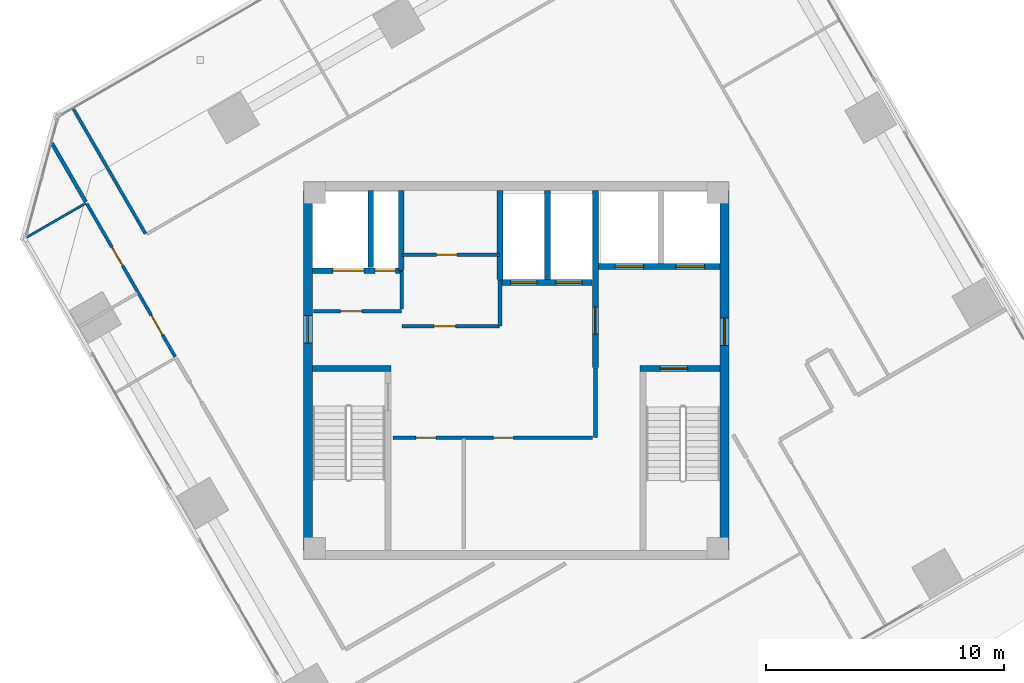
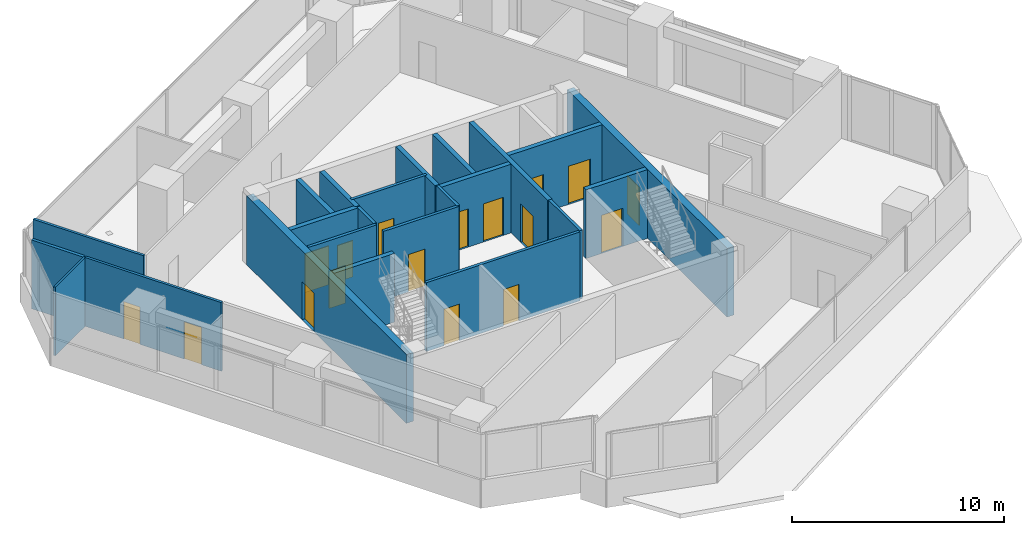
# One storey, part 12 of 16: 23 walls, 17 doors, 17 openings.
"""IFC4 building model written with IfcOpenShell, lengths in metres."""

from ifc_helpers import new_model, si_unit, direction, frame, frame_2d, origin, place, context, subcontext, project, spatial, rectangle, extrude, source, transform, mapped, material, layer, layer_set, type_object, element, fill, save


model = new_model("IFC4")

# Units and contexts
model_context = context("Model", 3, precision=1e-05, world=origin(), true_north=direction((0.0, 1.0)))
body_context = subcontext(model_context, "Body", "Model", "MODEL_VIEW")
ifc_project = project(units=[si_unit("LENGTHUNIT", "METRE"), si_unit("AREAUNIT", "SQUARE_METRE"), si_unit("VOLUMEUNIT", "CUBIC_METRE"), si_unit("PLANEANGLEUNIT", "RADIAN"), si_unit("MASSUNIT", "GRAM", prefix="KILO")], contexts=[model_context])

# Site, building, storey
site_placement = place(None, origin())
site = spatial("IfcSite", under=ifc_project, at=site_placement, CompositionType="ELEMENT")
building_placement = place(site_placement, origin())
building = spatial("IfcBuilding", under=site, at=building_placement, Name="Torre Montelarca", CompositionType="ELEMENT")
storey_placement = place(building_placement, frame((0.0, 0.0, 319.800048828125)))
storey = spatial("IfcBuildingStorey", under=building, at=storey_placement, Name="L72", CompositionType="ELEMENT", Elevation=319.800048828125)

# Wall
ifc_material_1 = material(Name="Concrete C40/50", Category="concrete")
ifc_layer_1 = layer(ifc_material_1, 0.25, Name="Concrete C40/50", Category="concrete")
ifc_layer_set_1 = layer_set([ifc_layer_1], Name="Concrete C40/50")
wall_type_1 = type_object("IfcWallType", Name="CW-SHAFT-250", PredefinedType="SHEAR", material=ifc_layer_set_1)
wall_1_placement = place(storey_placement, frame((9.4599609375, 32.074951171875, 0.0), z_axis=(0.0, 0.0, 1.0), x_axis=(1.0, 0.0, 0.0)))
element("IfcWall", 1, at=wall_1_placement, inside=storey, type_object=wall_type_1, Name="L72 Core Shear Wall SH-ST1-N", PredefinedType="SHEAR", context=body_context, shape_type="SweptSolid", body=[
    extrude(rectangle(XDim=3.2900390625, YDim=0.25, at=frame_2d((1.64501953125, 0.0))), origin(), (0.0, 0.0, 1.0), 3.9599609375),
])

# Wall, opening, door
wall_2_placement = place(storey_placement, frame((23.18994140625, 32.074951171875, 0.0), z_axis=(0.0, 0.0, 1.0), x_axis=(1.0, 0.0, 0.0)))
wall_2 = element("IfcWall", 2, at=wall_2_placement, inside=storey, type_object=wall_type_1, Name="L72 Core Shear Wall SH-ST2-N", PredefinedType="SHEAR", context=body_context, shape_type="SweptSolid", body=[
    extrude(rectangle(XDim=3.35009765625, YDim=0.25, at=frame_2d((1.675048828125, 0.0))), origin(), (0.0, 0.0, 1.0), 3.9599609375),
])
opening_1_placement = place(wall_2_placement, frame((0.85009765625, 0.0, 0.0)))
opening_1 = element("IfcOpeningElement", 3, at=opening_1_placement, cuts=wall_2, Name="Opening FD-ST1", PredefinedType="OPENING", context=body_context, shape_type="SweptSolid", body=[
    extrude(rectangle(XDim=1.14990234375, YDim=2.199951171875, at=frame_2d((0.574951171875, 1.10009765625))), frame((0.0, 0.135009765625, 0.0), z_axis=(0.0, -1.0, 0.0), x_axis=(1.0, 0.0, 0.0)), (0.0, 0.0, 1.0), 0.27001953125),
])
ifc_material_2 = material(Name="Galvanized steel fire door", Category="steel")
door_type_1 = type_object("IfcDoorType", Name="DR-STAIR-115", OperationType="NOTDEFINED", PredefinedType="DOOR", material=ifc_material_2)
shared_shape_1 = source(origin(), body_context, "Body", "SweptSolid", [
    extrude(rectangle(XDim=1.14990234375, YDim=2.199951171875, at=frame_2d((0.574951171875, 1.10009765625))), frame((0.0, 0.02490234375, 0.0), z_axis=(0.0, -1.0, 0.0), x_axis=(1.0, 0.0, 0.0)), (0.0, 0.0, 1.0), 0.050048828125),
])
door_1_placement = place(opening_1_placement, origin())
door_1 = element("IfcDoor", 4, at=door_1_placement, inside=storey, type_object=door_type_1, Name="L72 Exit Stair ST2 Fire Door", OperationType="SINGLE_SWING_RIGHT", OverallHeight=2.199951171875, OverallWidth=1.14990234375, PredefinedType="DOOR", context=body_context, shape_type="MappedRepresentation", body=[
    mapped(shared_shape_1, transform((0.0, 0.0, 0.0), scale=1.0)),
])
fill(opening_1, door_1)

wall_3_placement = place(storey_placement, frame((21.320068359375, 32.1201171875, 0.0), z_axis=(0.0, 0.0, 1.0), x_axis=(0.0, 1.0, 0.0)))
wall_3 = element("IfcWall", 5, at=wall_3_placement, inside=storey, type_object=wall_type_1, Name="L72 Core Shear Wall SH-FFL-W", PredefinedType="SHEAR", context=body_context, shape_type="SweptSolid", body=[
    extrude(rectangle(XDim=7.419921875, YDim=0.25, at=frame_2d((3.7099609375, 0.0))), origin(), (0.0, 0.0, 1.0), 3.9599609375),
])
opening_2_placement = place(wall_3_placement, frame((1.39990234375, 0.0, 0.0)))
opening_2 = element("IfcOpeningElement", 6, at=opening_2_placement, cuts=wall_3, Name="Opening FD-LB1", PredefinedType="OPENING", context=body_context, shape_type="SweptSolid", body=[
    extrude(rectangle(XDim=1.14990234375, YDim=2.199951171875, at=frame_2d((0.574951171875, 1.10009765625))), frame((0.0, 0.135009765625, 0.0), z_axis=(0.0, -1.0, 0.0), x_axis=(1.0, 0.0, 0.0)), (0.0, 0.0, 1.0), 0.27001953125),
])
ifc_material_3 = material(Name="Acoustic timber-veneered fire door", Category="wood")
door_type_2 = type_object("IfcDoorType", Name="DR-LOBBY-115", OperationType="NOTDEFINED", PredefinedType="DOOR", material=ifc_material_3)
shared_shape_2 = source(origin(), body_context, "Body", "SweptSolid", [
    extrude(rectangle(XDim=1.14990234375, YDim=2.199951171875, at=frame_2d((0.574951171875, 1.10009765625))), frame((0.0, 0.02490234375, 0.0), z_axis=(0.0, -1.0, 0.0), x_axis=(1.0, 0.0, 0.0)), (0.0, 0.0, 1.0), 0.050048828125),
])
door_2_placement = place(opening_2_placement, origin())
door_2 = element("IfcDoor", 7, at=door_2_placement, inside=storey, type_object=door_type_2, Name="L72 Lift Lobby to Firefighting Lobby Smoke Door", OperationType="SINGLE_SWING_LEFT", OverallHeight=2.199951171875, OverallWidth=1.14990234375, PredefinedType="DOOR", context=body_context, shape_type="MappedRepresentation", body=[
    mapped(shared_shape_2, transform((0.0, 0.0, 0.0), scale=1.0)),
])
fill(opening_2, door_2)

# Wall, openings, doors
wall_4_placement = place(storey_placement, frame((9.4599609375, 36.179931640625, 0.0), z_axis=(0.0, 0.0, 1.0), x_axis=(1.0, 0.0, 0.0)))
wall_4 = element("IfcWall", 8, at=wall_4_placement, inside=storey, type_object=wall_type_1, Name="L72 Core Shear Wall SH-SV1-S", PredefinedType="SHEAR", context=body_context, shape_type="SweptSolid", body=[
    extrude(rectangle(XDim=3.7900390625, YDim=0.25, at=frame_2d((1.89501953125, 0.0))), origin(), (0.0, 0.0, 1.0), 3.9599609375),
])
opening_3_placement = place(wall_4_placement, frame((2.6201171875, 0.0, 0.0)))
opening_3 = element("IfcOpeningElement", 9, at=opening_3_placement, cuts=wall_4, Name="Opening FD-085", PredefinedType="OPENING", context=body_context, shape_type="SweptSolid", body=[
    extrude(rectangle(XDim=0.85009765625, YDim=2.10009765625, at=frame_2d((0.425048828125, 1.050048828125))), frame((0.0, 0.135009765625, 0.0), z_axis=(0.0, -1.0, 0.0), x_axis=(1.0, 0.0, 0.0)), (0.0, 0.0, 1.0), 0.27001953125),
])
opening_4_placement = place(wall_4_placement, frame((0.85009765625, 0.0, 0.0)))
opening_4 = element("IfcOpeningElement", 10, at=opening_4_placement, cuts=wall_4, Name="Opening LD-130", PredefinedType="OPENING", context=body_context, shape_type="SweptSolid", body=[
    extrude(rectangle(XDim=1.300048828125, YDim=2.25, at=frame_2d((0.64990234375, 1.125))), frame((0.0, 0.135009765625, 0.0), z_axis=(0.0, -1.0, 0.0), x_axis=(1.0, 0.0, 0.0)), (0.0, 0.0, 1.0), 0.27001953125),
])
ifc_material_4 = material(Name="Steel riser access fire door", Category="steel")
door_type_3 = type_object("IfcDoorType", Name="DR-RISER-085", OperationType="NOTDEFINED", PredefinedType="DOOR", material=ifc_material_4)
shared_shape_3 = source(origin(), body_context, "Body", "SweptSolid", [
    extrude(rectangle(XDim=0.85009765625, YDim=2.10009765625, at=frame_2d((0.425048828125, 1.050048828125))), frame((0.0, 0.02490234375, 0.0), z_axis=(0.0, -1.0, 0.0), x_axis=(1.0, 0.0, 0.0)), (0.0, 0.0, 1.0), 0.050048828125),
])
door_3_placement = place(opening_3_placement, origin())
door_3 = element("IfcDoor", 11, at=door_3_placement, inside=storey, type_object=door_type_3, Name="L72 Electrical Riser Shaft Access Door", OperationType="SINGLE_SWING_RIGHT", OverallHeight=2.10009765625, OverallWidth=0.85009765625, PredefinedType="DOOR", context=body_context, shape_type="MappedRepresentation", body=[
    mapped(shared_shape_3, transform((0.0, 0.0, 0.0), scale=1.0)),
])
fill(opening_3, door_3)
ifc_material_5 = material(Name="Brushed stainless steel AISI 316", Category="steel")
door_type_4 = type_object("IfcDoorType", Name="DR-LIFT-130", OperationType="SLIDING_TO_LEFT", PredefinedType="DOOR", material=ifc_material_5)
shared_shape_4 = source(origin(), body_context, "Body", "SweptSolid", [
    extrude(rectangle(XDim=1.300048828125, YDim=2.25, at=frame_2d((0.64990234375, 1.125))), frame((0.0, 0.02490234375, 0.0), z_axis=(0.0, -1.0, 0.0), x_axis=(1.0, 0.0, 0.0)), (0.0, 0.0, 1.0), 0.050048828125),
])
door_4_placement = place(opening_4_placement, origin())
door_4 = element("IfcDoor", 12, at=door_4_placement, inside=storey, type_object=door_type_4, Name="L72 Lift Landing Sliding Door SV-1", OperationType="SLIDING_TO_LEFT", OverallHeight=2.25, OverallWidth=1.300048828125, PredefinedType="DOOR", context=body_context, shape_type="MappedRepresentation", body=[
    mapped(shared_shape_4, transform((0.0, 0.0, 0.0), scale=1.0)),
])
fill(opening_4, door_4)

# Wall
wall_5_placement = place(storey_placement, frame((11.89990234375, 36.31005859375, 0.0), z_axis=(0.0, 0.0, 1.0), x_axis=(0.0, 1.0, 0.0)))
element("IfcWall", 13, at=wall_5_placement, inside=storey, type_object=wall_type_1, Name="L72 Core Shear Wall SH-SV1-E", PredefinedType="SHEAR", context=body_context, shape_type="SweptSolid", body=[
    extrude(rectangle(XDim=3.22998046875, YDim=0.25, at=frame_2d((1.614990234375, 0.0))), origin(), (0.0, 0.0, 1.0), 3.9599609375),
])

# Wall, openings, doors
wall_6_placement = place(storey_placement, frame((21.449951171875, 36.35009765625, 0.0), z_axis=(0.0, 0.0, 1.0), x_axis=(1.0, 0.0, 0.0)))
wall_6 = element("IfcWall", 14, at=wall_6_placement, inside=storey, type_object=wall_type_1, Name="L72 Core Shear Wall SH-FF-S", PredefinedType="SHEAR", context=body_context, shape_type="SweptSolid", body=[
    extrude(rectangle(XDim=5.090087890625, YDim=0.25, at=frame_2d((2.544921875, 0.0))), origin(), (0.0, 0.0, 1.0), 3.9599609375),
])
opening_5_placement = place(wall_6_placement, frame((0.699951171875, 0.0, 0.0)))
opening_5 = element("IfcOpeningElement", 15, at=opening_5_placement, cuts=wall_6, Name="Opening LD-120", PredefinedType="OPENING", context=body_context, shape_type="SweptSolid", body=[
    extrude(rectangle(XDim=1.199951171875, YDim=2.199951171875, at=frame_2d((0.60009765625, 1.10009765625))), frame((0.0, 0.135009765625, 0.0), z_axis=(0.0, -1.0, 0.0), x_axis=(1.0, 0.0, 0.0)), (0.0, 0.0, 1.0), 0.27001953125),
])
opening_6_placement = place(wall_6_placement, frame((3.25, 0.0, 0.0)))
opening_6 = element("IfcOpeningElement", 16, at=opening_6_placement, cuts=wall_6, Name="Opening LD-120", PredefinedType="OPENING", context=body_context, shape_type="SweptSolid", body=[
    extrude(rectangle(XDim=1.199951171875, YDim=2.199951171875, at=frame_2d((0.60009765625, 1.10009765625))), frame((0.0, 0.135009765625, 0.0), z_axis=(0.0, -1.0, 0.0), x_axis=(1.0, 0.0, 0.0)), (0.0, 0.0, 1.0), 0.27001953125),
])
door_type_5 = type_object("IfcDoorType", Name="DR-LIFT-120", OperationType="SLIDING_TO_RIGHT", PredefinedType="DOOR", material=ifc_material_5)
shared_shape_5 = source(origin(), body_context, "Body", "SweptSolid", [
    extrude(rectangle(XDim=1.199951171875, YDim=2.199951171875, at=frame_2d((0.60009765625, 1.10009765625))), frame((0.0, 0.02490234375, 0.0), z_axis=(0.0, -1.0, 0.0), x_axis=(1.0, 0.0, 0.0)), (0.0, 0.0, 1.0), 0.050048828125),
])
door_5_placement = place(opening_5_placement, origin())
door_5 = element("IfcDoor", 17, at=door_5_placement, inside=storey, type_object=door_type_5, Name="L72 Lift Landing Sliding Door FF-1", OperationType="SLIDING_TO_LEFT", OverallHeight=2.199951171875, OverallWidth=1.199951171875, PredefinedType="DOOR", context=body_context, shape_type="MappedRepresentation", body=[
    mapped(shared_shape_5, transform((0.0, 0.0, 0.0), scale=1.0)),
])
fill(opening_5, door_5)
door_6_placement = place(opening_6_placement, origin())
door_6 = element("IfcDoor", 18, at=door_6_placement, inside=storey, type_object=door_type_5, Name="L72 Lift Landing Sliding Door FF-2", OperationType="SLIDING_TO_RIGHT", OverallHeight=2.199951171875, OverallWidth=1.199951171875, PredefinedType="DOOR", context=body_context, shape_type="MappedRepresentation", body=[
    mapped(shared_shape_5, transform((0.0, 0.0, 0.0), scale=1.0)),
])
fill(opening_6, door_6)

# Wall
wall_7_placement = place(storey_placement, frame((13.179931640625, 36.199951171875, 0.0), z_axis=(0.0, 0.0, 1.0), x_axis=(0.0, 1.0, 0.0)))
element("IfcWall", 19, at=wall_7_placement, inside=storey, type_object=wall_type_1, Name="L72 Core Shear Wall SH-RSR1-E", PredefinedType="SHEAR", context=body_context, shape_type="SweptSolid", body=[
    extrude(rectangle(XDim=3.340087890625, YDim=0.25, at=frame_2d((1.669921875, 0.0))), origin(), (0.0, 0.0, 1.0), 3.9599609375),
])

# Wall, openings, doors
wall_8_placement = place(storey_placement, frame((17.320068359375, 35.679931640625, 0.0), z_axis=(0.0, 0.0, 1.0), x_axis=(1.0, 0.0, 0.0)))
wall_8 = element("IfcWall", 20, at=wall_8_placement, inside=storey, type_object=wall_type_1, Name="L72 Core Shear Wall SH-PLH-S", PredefinedType="SHEAR", context=body_context, shape_type="SweptSolid", body=[
    extrude(rectangle(XDim=3.869873046875, YDim=0.25, at=frame_2d((1.93505859375, 0.0))), origin(), (0.0, 0.0, 1.0), 3.9599609375),
])
opening_7_placement = place(wall_8_placement, frame((0.449951171875, 0.0, 0.0)))
opening_7 = element("IfcOpeningElement", 21, at=opening_7_placement, cuts=wall_8, Name="Opening LD-110", PredefinedType="OPENING", context=body_context, shape_type="SweptSolid", body=[
    extrude(rectangle(XDim=1.10009765625, YDim=2.199951171875, at=frame_2d((0.550048828125, 1.10009765625))), frame((0.0, 0.135009765625, 0.0), z_axis=(0.0, -1.0, 0.0), x_axis=(1.0, 0.0, 0.0)), (0.0, 0.0, 1.0), 0.27001953125),
])
opening_8_placement = place(wall_8_placement, frame((2.35009765625, 0.0, 0.0)))
opening_8 = element("IfcOpeningElement", 22, at=opening_8_placement, cuts=wall_8, Name="Opening LD-110", PredefinedType="OPENING", context=body_context, shape_type="SweptSolid", body=[
    extrude(rectangle(XDim=1.10009765625, YDim=2.199951171875, at=frame_2d((0.550048828125, 1.10009765625))), frame((0.0, 0.135009765625, 0.0), z_axis=(0.0, -1.0, 0.0), x_axis=(1.0, 0.0, 0.0)), (0.0, 0.0, 1.0), 0.27001953125),
])
door_type_6 = type_object("IfcDoorType", Name="DR-LIFT-110", OperationType="SLIDING_TO_LEFT", PredefinedType="DOOR", material=ifc_material_5)
shared_shape_6 = source(origin(), body_context, "Body", "SweptSolid", [
    extrude(rectangle(XDim=1.10009765625, YDim=2.199951171875, at=frame_2d((0.550048828125, 1.10009765625))), frame((0.0, 0.02490234375, 0.0), z_axis=(0.0, -1.0, 0.0), x_axis=(1.0, 0.0, 0.0)), (0.0, 0.0, 1.0), 0.050048828125),
])
door_7_placement = place(opening_7_placement, origin())
door_7 = element("IfcDoor", 23, at=door_7_placement, inside=storey, type_object=door_type_6, Name="L72 Lift Landing Sliding Door PL-H1", OperationType="SLIDING_TO_LEFT", OverallHeight=2.199951171875, OverallWidth=1.10009765625, PredefinedType="DOOR", context=body_context, shape_type="MappedRepresentation", body=[
    mapped(shared_shape_6, transform((0.0, 0.0, 0.0), scale=1.0)),
])
fill(opening_7, door_7)
door_8_placement = place(opening_8_placement, origin())
door_8 = element("IfcDoor", 24, at=door_8_placement, inside=storey, type_object=door_type_6, Name="L72 Lift Landing Sliding Door PL-H2", OperationType="SLIDING_TO_RIGHT", OverallHeight=2.199951171875, OverallWidth=1.10009765625, PredefinedType="DOOR", context=body_context, shape_type="MappedRepresentation", body=[
    mapped(shared_shape_6, transform((0.0, 0.0, 0.0), scale=1.0)),
])
fill(opening_8, door_8)

# Walls
for number, where, z_axis, x_axis, name in (
    (25, (17.320068359375, 35.81005859375, 0.0), (0.0, 0.0, 1.0), (0.0, 1.0, 0.0), "L72 Core Shear Wall SH-PLH-W"),
    (26, (19.320068359375, 35.81005859375, 0.0), (0.0, 0.0, 1.0), (0.0, 1.0, 0.0), "L72 Core Shear Wall SH-PLH-M"),
):
    element("IfcWall", number, at=place(storey_placement, frame(where, z_axis=z_axis, x_axis=x_axis)), inside=storey, type_object=wall_type_1, Name=name, PredefinedType="SHEAR", context=body_context, shape_type="SweptSolid", body=[
        extrude(rectangle(XDim=3.72998046875, YDim=0.25, at=frame_2d((1.864990234375, 0.0))), origin(), (0.0, 0.0, 1.0), 3.9599609375),
    ])

# Wall, opening, door
ifc_layer_2 = layer(ifc_material_1, 0.3798828125, Name="Concrete C40/50", Category="concrete")
ifc_layer_set_2 = layer_set([ifc_layer_2], Name="Concrete C40/50")
wall_type_2 = type_object("IfcWallType", Name="CW-SHEAR-380", PredefinedType="SHEAR", material=ifc_layer_set_2)
wall_9_placement = place(storey_placement, frame((9.260009765625, 24.449951171875, 0.0), z_axis=(0.0, 0.0, 1.0), x_axis=(0.0, 1.0, 0.0)))
wall_9 = element("IfcWall", 27, at=wall_9_placement, inside=storey, type_object=wall_type_2, Name="L72 Core Shear Wall CW-W", PredefinedType="SHEAR", context=body_context, shape_type="SweptSolid", body=[
    extrude(rectangle(XDim=15.10009765625, YDim=0.3798828125, at=frame_2d((7.550048828125, 0.0))), origin(), (0.0, 0.0, 1.0), 3.9599609375),
])
opening_9_placement = place(wall_9_placement, frame((8.699951171875, 0.0, 0.0)))
opening_9 = element("IfcOpeningElement", 28, at=opening_9_placement, cuts=wall_9, Name="Opening FD-LB1", PredefinedType="OPENING", context=body_context, shape_type="SweptSolid", body=[
    extrude(rectangle(XDim=1.14990234375, YDim=2.199951171875, at=frame_2d((0.574951171875, 1.10009765625))), frame((0.0, 0.199951171875, 0.0), z_axis=(0.0, -1.0, 0.0), x_axis=(1.0, 0.0, 0.0)), (0.0, 0.0, 1.0), 0.39990234375),
])
door_9_placement = place(opening_9_placement, origin())
door_9 = element("IfcDoor", 29, at=door_9_placement, inside=storey, type_object=door_type_2, Name="L72 Passenger Lift Lobby West Corridor Fire Door", OperationType="SINGLE_SWING_RIGHT", OverallHeight=2.199951171875, OverallWidth=1.14990234375, PredefinedType="DOOR", context=body_context, shape_type="MappedRepresentation", body=[
    mapped(shared_shape_2, transform((0.0, 0.0, 0.0), scale=1.0)),
])
fill(opening_9, door_9)

wall_10_placement = place(storey_placement, frame((26.739990234375, 24.449951171875, 0.0), z_axis=(0.0, 0.0, 1.0), x_axis=(0.0, 1.0, 0.0)))
wall_10 = element("IfcWall", 30, at=wall_10_placement, inside=storey, type_object=wall_type_2, Name="L72 Core Shear Wall CW-E", PredefinedType="SHEAR", context=body_context, shape_type="SweptSolid", body=[
    extrude(rectangle(XDim=15.10009765625, YDim=0.3798828125, at=frame_2d((7.550048828125, 0.0))), origin(), (0.0, 0.0, 1.0), 3.9599609375),
])
opening_10_placement = place(wall_10_placement, frame((8.60009765625, 0.0, 0.0)))
opening_10 = element("IfcOpeningElement", 31, at=opening_10_placement, cuts=wall_10, Name="Opening FD-LB1", PredefinedType="OPENING", context=body_context, shape_type="SweptSolid", body=[
    extrude(rectangle(XDim=1.14990234375, YDim=2.199951171875, at=frame_2d((0.574951171875, 1.10009765625))), frame((0.0, 0.199951171875, 0.0), z_axis=(0.0, -1.0, 0.0), x_axis=(1.0, 0.0, 0.0)), (0.0, 0.0, 1.0), 0.39990234375),
])
door_10_placement = place(opening_10_placement, origin())
door_10 = element("IfcDoor", 32, at=door_10_placement, inside=storey, type_object=door_type_2, Name="L72 Firefighting Lift Lobby Corridor Fire Door", OperationType="SINGLE_SWING_RIGHT", OverallHeight=2.199951171875, OverallWidth=1.14990234375, PredefinedType="DOOR", context=body_context, shape_type="MappedRepresentation", body=[
    mapped(shared_shape_2, transform((0.0, 0.0, 0.0), scale=1.0)),
])
fill(opening_10, door_10)

ifc_material_6 = material(Name="Gypsum plasterboard on steel stud", Category="steel")
ifc_layer_3 = layer(ifc_material_6, 0.159912109375, Name="Gypsum plasterboard on steel stud", Category="steel")
ifc_layer_set_3 = layer_set([ifc_layer_3], Name="Gypsum plasterboard on steel stud")
wall_type_3 = type_object("IfcWallType", Name="PW-FIRE-160", PredefinedType="PARTITIONING", material=ifc_layer_set_3)
wall_11_placement = place(storey_placement, frame((9.489990234375, 34.47998046875, 0.0), z_axis=(0.0, 0.0, 1.0), x_axis=(1.0, 0.0, 0.0)))
wall_11 = element("IfcWall", 33, at=wall_11_placement, inside=storey, type_object=wall_type_3, Name="L72 Interior Partition CW-L72-SVS", PredefinedType="PARTITIONING", context=body_context, shape_type="SweptSolid", body=[
    extrude(rectangle(XDim=3.699951171875, YDim=0.159912109375, at=frame_2d((1.85009765625, 0.0))), origin(), (0.0, 0.0, 1.0), 3.9599609375),
])
opening_11_placement = place(wall_11_placement, frame((1.14990234375, 0.0, 0.0)))
opening_11 = element("IfcOpeningElement", 34, at=opening_11_placement, cuts=wall_11, Name="Opening FD-090", PredefinedType="OPENING", context=body_context, shape_type="SweptSolid", body=[
    extrude(rectangle(XDim=0.89990234375, YDim=2.14990234375, at=frame_2d((0.449951171875, 1.074951171875))), frame((0.0, 0.08984375, 0.0), z_axis=(0.0, -1.0, 0.0), x_axis=(1.0, 0.0, 0.0)), (0.0, 0.0, 1.0), 0.179931640625),
])
ifc_material_7 = material(Name="Steel service fire door", Category="steel")
door_type_7 = type_object("IfcDoorType", Name="DR-FIRE-090", OperationType="NOTDEFINED", PredefinedType="DOOR", material=ifc_material_7)
shared_shape_7 = source(origin(), body_context, "Body", "SweptSolid", [
    extrude(rectangle(XDim=0.89990234375, YDim=2.14990234375, at=frame_2d((0.449951171875, 1.074951171875))), frame((0.0, 0.02490234375, 0.0), z_axis=(0.0, -1.0, 0.0), x_axis=(1.0, 0.0, 0.0)), (0.0, 0.0, 1.0), 0.050048828125),
])
door_11_placement = place(opening_11_placement, origin())
door_11 = element("IfcDoor", 35, at=door_11_placement, inside=storey, type_object=door_type_7, Name="L72 Interior Door 01", OperationType="SINGLE_SWING_RIGHT", OverallHeight=2.14990234375, OverallWidth=0.89990234375, PredefinedType="DOOR", context=body_context, shape_type="MappedRepresentation", body=[
    mapped(shared_shape_7, transform((0.0, 0.0, 0.0), scale=1.0)),
])
fill(opening_11, door_11)

# Wall
wall_12_placement = place(storey_placement, frame((13.199951171875, 34.570068359375, 0.0), z_axis=(0.0, 0.0, 1.0), x_axis=(0.0, 1.0, 0.0)))
element("IfcWall", 36, at=wall_12_placement, inside=storey, type_object=wall_type_3, Name="L72 Interior Partition CW-L72-SVE", PredefinedType="PARTITIONING", context=body_context, shape_type="SweptSolid", body=[
    extrude(rectangle(XDim=1.56982421875, YDim=0.159912109375, at=frame_2d((0.784912109375, 0.0))), origin(), (0.0, 0.0, 1.0), 3.9599609375),
])

# Wall, opening, door
wall_13_placement = place(storey_placement, frame((13.2099609375, 33.85009765625, 0.0), z_axis=(0.0, 0.0, 1.0), x_axis=(1.0, 0.0, 0.0)))
wall_13 = element("IfcWall", 37, at=wall_13_placement, inside=storey, type_object=wall_type_3, Name="L72 Interior Partition CW-L72-FRMS", PredefinedType="PARTITIONING", context=body_context, shape_type="SweptSolid", body=[
    extrude(rectangle(XDim=4.10009765625, YDim=0.159912109375, at=frame_2d((2.050048828125, 0.0))), origin(), (0.0, 0.0, 1.0), 3.9599609375),
])
opening_12_placement = place(wall_13_placement, frame((1.35009765625, 0.0, 0.0)))
opening_12 = element("IfcOpeningElement", 38, at=opening_12_placement, cuts=wall_13, Name="Opening FD-090", PredefinedType="OPENING", context=body_context, shape_type="SweptSolid", body=[
    extrude(rectangle(XDim=0.89990234375, YDim=2.14990234375, at=frame_2d((0.449951171875, 1.074951171875))), frame((0.0, 0.08984375, 0.0), z_axis=(0.0, -1.0, 0.0), x_axis=(1.0, 0.0, 0.0)), (0.0, 0.0, 1.0), 0.179931640625),
])
door_12_placement = place(opening_12_placement, origin())
door_12 = element("IfcDoor", 39, at=door_12_placement, inside=storey, type_object=door_type_7, Name="L72 Interior Door 02", OperationType="SINGLE_SWING_LEFT", OverallHeight=2.14990234375, OverallWidth=0.89990234375, PredefinedType="DOOR", context=body_context, shape_type="MappedRepresentation", body=[
    mapped(shared_shape_7, transform((0.0, 0.0, 0.0), scale=1.0)),
])
fill(opening_12, door_12)

# Wall
wall_14_placement = place(storey_placement, frame((17.320068359375, 33.860107421875, 0.0), z_axis=(0.0, 0.0, 1.0), x_axis=(0.0, 1.0, 0.0)))
element("IfcWall", 40, at=wall_14_placement, inside=storey, type_object=wall_type_3, Name="L72 Interior Partition CW-L72-FRME", PredefinedType="PARTITIONING", context=body_context, shape_type="SweptSolid", body=[
    extrude(rectangle(XDim=1.929931640625, YDim=0.159912109375, at=frame_2d((0.96484375, 0.0))), origin(), (0.0, 0.0, 1.0), 3.9599609375),
])

# Wall, opening, door
wall_15_placement = place(storey_placement, frame((13.2099609375, 36.85009765625, 0.0), z_axis=(0.0, 0.0, 1.0), x_axis=(1.0, 0.0, 0.0)))
wall_15 = element("IfcWall", 41, at=wall_15_placement, inside=storey, type_object=wall_type_3, Name="L72 Interior Partition CW-L72-FRMD", PredefinedType="PARTITIONING", context=body_context, shape_type="SweptSolid", body=[
    extrude(rectangle(XDim=4.10009765625, YDim=0.159912109375, at=frame_2d((2.050048828125, 0.0))), origin(), (0.0, 0.0, 1.0), 3.9599609375),
])
opening_13_placement = place(wall_15_placement, frame((1.449951171875, 0.0, 0.0)))
opening_13 = element("IfcOpeningElement", 42, at=opening_13_placement, cuts=wall_15, Name="Opening FD-085", PredefinedType="OPENING", context=body_context, shape_type="SweptSolid", body=[
    extrude(rectangle(XDim=0.85009765625, YDim=2.10009765625, at=frame_2d((0.425048828125, 1.050048828125))), frame((0.0, 0.08984375, 0.0), z_axis=(0.0, -1.0, 0.0), x_axis=(1.0, 0.0, 0.0)), (0.0, 0.0, 1.0), 0.179931640625),
])
door_13_placement = place(opening_13_placement, origin())
door_13 = element("IfcDoor", 43, at=door_13_placement, inside=storey, type_object=door_type_3, Name="L72 Interior Door 03", OperationType="SINGLE_SWING_RIGHT", OverallHeight=2.10009765625, OverallWidth=0.85009765625, PredefinedType="DOOR", context=body_context, shape_type="MappedRepresentation", body=[
    mapped(shared_shape_3, transform((0.0, 0.0, 0.0), scale=1.0)),
])
fill(opening_13, door_13)

# Wall, openings, doors
wall_16_placement = place(storey_placement, frame((12.840087890625, 29.179931640625, 0.0), z_axis=(0.0, 0.0, 1.0), x_axis=(1.0, 0.0, 0.0)))
wall_16 = element("IfcWall", 44, at=wall_16_placement, inside=storey, type_object=wall_type_3, Name="L72 Interior Partition CW-L72-FRDN", PredefinedType="PARTITIONING", context=body_context, shape_type="SweptSolid", body=[
    extrude(rectangle(XDim=8.369873046875, YDim=0.159912109375, at=frame_2d((4.18505859375, 0.0))), origin(), (0.0, 0.0, 1.0), 3.9599609375),
])
opening_14_placement = place(wall_16_placement, frame((0.949951171875, 0.0, 0.0)))
opening_14 = element("IfcOpeningElement", 45, at=opening_14_placement, cuts=wall_16, Name="Opening FD-085", PredefinedType="OPENING", context=body_context, shape_type="SweptSolid", body=[
    extrude(rectangle(XDim=0.85009765625, YDim=2.10009765625, at=frame_2d((0.425048828125, 1.050048828125))), frame((0.0, 0.08984375, 0.0), z_axis=(0.0, -1.0, 0.0), x_axis=(1.0, 0.0, 0.0)), (0.0, 0.0, 1.0), 0.179931640625),
])
opening_15_placement = place(wall_16_placement, frame((4.199951171875, 0.0, 0.0)))
opening_15 = element("IfcOpeningElement", 46, at=opening_15_placement, cuts=wall_16, Name="Opening FD-085", PredefinedType="OPENING", context=body_context, shape_type="SweptSolid", body=[
    extrude(rectangle(XDim=0.85009765625, YDim=2.10009765625, at=frame_2d((0.425048828125, 1.050048828125))), frame((0.0, 0.08984375, 0.0), z_axis=(0.0, -1.0, 0.0), x_axis=(1.0, 0.0, 0.0)), (0.0, 0.0, 1.0), 0.179931640625),
])
door_14_placement = place(opening_14_placement, origin())
door_14 = element("IfcDoor", 47, at=door_14_placement, inside=storey, type_object=door_type_3, Name="L72 Interior Door 04", OperationType="SINGLE_SWING_LEFT", OverallHeight=2.10009765625, OverallWidth=0.85009765625, PredefinedType="DOOR", context=body_context, shape_type="MappedRepresentation", body=[
    mapped(shared_shape_3, transform((0.0, 0.0, 0.0), scale=1.0)),
])
fill(opening_14, door_14)
door_15_placement = place(opening_15_placement, origin())
door_15 = element("IfcDoor", 48, at=door_15_placement, inside=storey, type_object=door_type_3, Name="L72 Interior Door 05", OperationType="SINGLE_SWING_RIGHT", OverallHeight=2.10009765625, OverallWidth=0.85009765625, PredefinedType="DOOR", context=body_context, shape_type="MappedRepresentation", body=[
    mapped(shared_shape_3, transform((0.0, 0.0, 0.0), scale=1.0)),
])
fill(opening_15, door_15)

# Walls
wall_17_placement = place(storey_placement, frame((21.320068359375, 29.18994140625, 0.0), z_axis=(0.0, 0.0, 1.0), x_axis=(0.0, 1.0, 0.0)))
element("IfcWall", 49, at=wall_17_placement, inside=storey, type_object=wall_type_3, Name="L72 Interior Partition CW-L72-FRE", PredefinedType="PARTITIONING", context=body_context, shape_type="SweptSolid", body=[
    extrude(rectangle(XDim=2.920166015625, YDim=0.159912109375, at=frame_2d((1.4599609375, 0.0))), origin(), (0.0, 0.0, 1.0), 3.9599609375),
])
wall_18_placement = place(storey_placement, frame((-1.468994140625, 41.5234375, 0.0), z_axis=(0.0, 0.0, 1.0), x_axis=(0.499945532396, -0.866056848387, 0.0)))
element("IfcWall", 50, at=wall_18_placement, inside=storey, type_object=wall_type_3, Name="L72 Interior Partition W-L72-SOCCW", PredefinedType="PARTITIONING", context=body_context, shape_type="SweptSolid", body=[
    extrude(rectangle(XDim=2.842041015625, YDim=0.159912109375, at=frame_2d((1.4208984375, 0.0))), origin(), (0.0, 0.0, 1.0), 3.9599609375),
])
ifc_material_8 = material(Name="Acoustic laminated glass partition", Category="glass")
ifc_layer_4 = layer(ifc_material_8, 0.10009765625, Name="Acoustic laminated glass partition", Category="glass")
ifc_layer_set_4 = layer_set([ifc_layer_4], Name="Acoustic laminated glass partition")
wall_type_4 = type_object("IfcWallType", Name="PW-GLAZ-100", PredefinedType="PARTITIONING", material=ifc_layer_set_4)
wall_19_placement = place(storey_placement, frame((-2.52392578125, 37.58642578125, 0.0), z_axis=(0.0, 0.0, 1.0), x_axis=(0.866019653938, 0.500009958894, 0.0)))
element("IfcWall", 51, at=wall_19_placement, inside=storey, type_object=wall_type_4, Name="L72 Interior Partition W-L72-WCW", PredefinedType="PARTITIONING", context=body_context, shape_type="SweptSolid", body=[
    extrude(rectangle(XDim=2.84228515625, YDim=0.10009765625, at=frame_2d((1.421142578125, 0.0))), origin(), (0.0, 0.0, 1.0), 3.9599609375),
])

# Wall, openings, doors
ifc_layer_5 = layer(ifc_material_6, 0.135009765625, Name="Gypsum plasterboard on steel stud", Category="steel")
ifc_layer_set_5 = layer_set([ifc_layer_5], Name="Gypsum plasterboard on steel stud")
wall_type_5 = type_object("IfcWallType", Name="PW-PART-135", PredefinedType="PARTITIONING", material=ifc_layer_set_5)
wall_20_placement = place(storey_placement, frame((-0.008056640625, 38.992919921875, 0.0), z_axis=(0.0, 0.0, 1.0), x_axis=(0.49998923004, -0.866031621735, 0.0)))
wall_20 = element("IfcWall", 52, at=wall_20_placement, inside=storey, type_object=wall_type_5, Name="L72 Interior Partition W-L72-WCN", PredefinedType="PARTITIONING", context=body_context, shape_type="SweptSolid", body=[
    extrude(rectangle(XDim=7.420166015625, YDim=0.135009765625, at=frame_2d((3.7099609375, 0.0))), origin(), (0.0, 0.0, 1.0), 3.9599609375),
])
opening_16_placement = place(wall_20_placement, frame((2.10009765625, 0.0, 0.0)))
opening_16 = element("IfcOpeningElement", 53, at=opening_16_placement, cuts=wall_20, Name="Opening ID-090", PredefinedType="OPENING", context=body_context, shape_type="SweptSolid", body=[
    extrude(rectangle(XDim=0.89990234375, YDim=2.14990234375, at=frame_2d((0.449951171875, 1.074951171875))), frame((0.0, 0.07763671875, 0.0), z_axis=(0.0, -1.0, 0.0), x_axis=(1.0, 0.0, 0.0)), (0.0, 0.0, 1.0), 0.155029296875),
])
opening_17_placement = place(wall_20_placement, frame((5.39990234375, 0.0, 0.0)))
opening_17 = element("IfcOpeningElement", 54, at=opening_17_placement, cuts=wall_20, Name="Opening ID-095", PredefinedType="OPENING", context=body_context, shape_type="SweptSolid", body=[
    extrude(rectangle(XDim=0.949951171875, YDim=2.14990234375, at=frame_2d((0.47509765625, 1.074951171875))), frame((0.0, 0.07763671875, 0.0), z_axis=(0.0, -1.0, 0.0), x_axis=(1.0, 0.0, 0.0)), (0.0, 0.0, 1.0), 0.155029296875),
])
ifc_material_9 = material(Name="Hardwood acoustic timber veneer", Category="wood")
door_type_8 = type_object("IfcDoorType", Name="DR-INT-090", OperationType="NOTDEFINED", PredefinedType="DOOR", material=ifc_material_9)
shared_shape_8 = source(origin(), body_context, "Body", "SweptSolid", [
    extrude(rectangle(XDim=0.89990234375, YDim=2.14990234375, at=frame_2d((0.449951171875, 1.074951171875))), frame((0.0, 0.02490234375, 0.0), z_axis=(0.0, -1.0, 0.0), x_axis=(1.0, 0.0, 0.0)), (0.0, 0.0, 1.0), 0.050048828125),
])
door_16_placement = place(opening_16_placement, origin())
door_16 = element("IfcDoor", 55, at=door_16_placement, inside=storey, type_object=door_type_8, Name="L72 Interior Door 06", OperationType="SINGLE_SWING_LEFT", OverallHeight=2.14990234375, OverallWidth=0.89990234375, PredefinedType="DOOR", context=body_context, shape_type="MappedRepresentation", body=[
    mapped(shared_shape_8, transform((0.0, 0.0, 0.0), scale=1.0)),
])
fill(opening_16, door_16)
door_type_9 = type_object("IfcDoorType", Name="DR-INT-095", OperationType="NOTDEFINED", PredefinedType="DOOR", material=ifc_material_9)
shared_shape_9 = source(origin(), body_context, "Body", "SweptSolid", [
    extrude(rectangle(XDim=0.949951171875, YDim=2.14990234375, at=frame_2d((0.47509765625, 1.074951171875))), frame((0.0, 0.02490234375, 0.0), z_axis=(0.0, -1.0, 0.0), x_axis=(1.0, 0.0, 0.0)), (0.0, 0.0, 1.0), 0.050048828125),
])
door_17_placement = place(opening_17_placement, origin())
door_17 = element("IfcDoor", 56, at=door_17_placement, inside=storey, type_object=door_type_9, Name="L72 Interior Door 07", OperationType="SINGLE_SWING_RIGHT", OverallHeight=2.14990234375, OverallWidth=0.949951171875, PredefinedType="DOOR", context=body_context, shape_type="MappedRepresentation", body=[
    mapped(shared_shape_9, transform((0.0, 0.0, 0.0), scale=1.0)),
])
fill(opening_17, door_17)

# Wall
wall_21_placement = place(storey_placement, frame((-0.56396484375, 42.955810546875, 0.0), z_axis=(0.0, 0.0, 1.0), x_axis=(0.500014506688, -0.866017028182, 0.0)))
element("IfcWall", 57, at=wall_21_placement, inside=storey, type_object=wall_type_5, Name="L72 Interior Partition W-L72-WWGS", PredefinedType="PARTITIONING", context=body_context, shape_type="SweptSolid", body=[
    extrude(rectangle(XDim=6.030029296875, YDim=0.135009765625, at=frame_2d((3.01513671875, 0.0))), origin(), (0.0, 0.0, 1.0), 3.9599609375),
])

save(model, "model.ifc")
